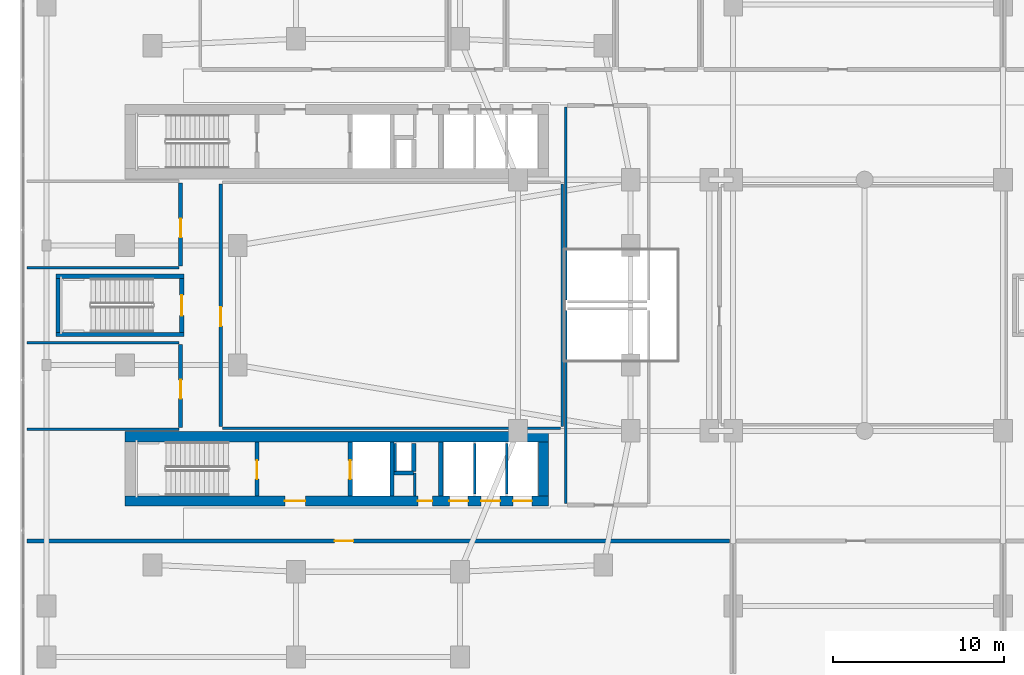
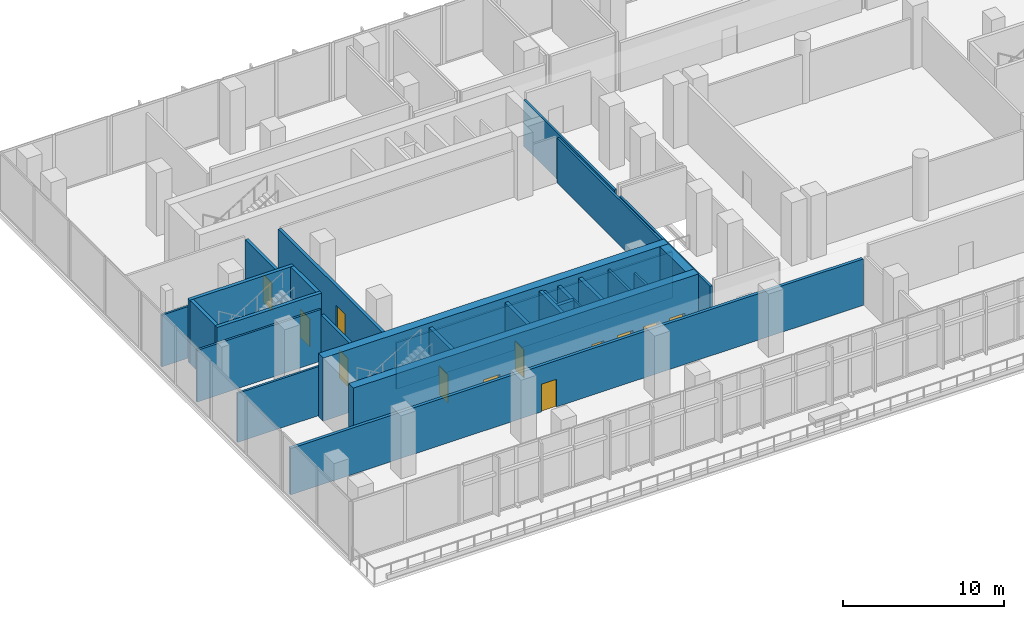
# One storey, part 11 of 30: 28 walls, 12 doors, 12 openings.
"""IFC4 building model written with IfcOpenShell, lengths in metres."""

from ifc_helpers import new_model, si_unit, derived_unit, direction, frame, frame_2d, origin, place, context, subcontext, project, spatial, rectangle, extrude, material, layer, layer_set, type_object, element, fill, save


model = new_model("IFC4")

# Units and contexts
model_context = context("Model", 3, precision=1e-05, world=origin(), true_north=direction((0.0, 1.0)))
body_context = subcontext(model_context, "Body", "Model", "MODEL_VIEW")
ifc_project = project(units=[si_unit("LENGTHUNIT", "METRE"), si_unit("AREAUNIT", "SQUARE_METRE"), si_unit("VOLUMEUNIT", "CUBIC_METRE"), si_unit("PLANEANGLEUNIT", "RADIAN"), si_unit("MASSUNIT", "GRAM", prefix="KILO"), derived_unit("THERMALTRANSMITTANCEUNIT", [(si_unit("POWERUNIT", "WATT"), 1), (si_unit("LENGTHUNIT", "METRE"), -2), (si_unit("THERMODYNAMICTEMPERATUREUNIT", "KELVIN"), -1)])], contexts=[model_context])

# Site, building, storey
site_placement = place(None, origin())
site = spatial("IfcSite", under=ifc_project, at=site_placement, CompositionType="ELEMENT")
building_placement = place(site_placement, origin())
building = spatial("IfcBuilding", under=site, at=building_placement, Name="Kivonza Crest Hotel", CompositionType="ELEMENT")
storey_placement = place(building_placement, frame((0.0, 0.0, 10.199951171875)))
storey = spatial("IfcBuildingStorey", under=building, at=storey_placement, Name="L02", CompositionType="ELEMENT", Elevation=10.199951171875)

# Wall, opening, door
ifc_material_1 = material(Name="Autoclaved aerated concrete blockwork", Category="masonry")
ifc_layer_1 = layer(ifc_material_1, 0.219970703125)
ifc_layer_set_1 = layer_set([ifc_layer_1], Name="Autoclaved aerated concrete blockwork")
wall_type_1 = type_object("IfcWallType", Name="WL-ACOU-220", PredefinedType="SOLIDWALL", material=ifc_layer_set_1)
wall_1_placement = place(storey_placement, frame((11.800048828125, 17.89990234375, 0.0), z_axis=(0.0, 0.0, 1.0), x_axis=(0.0, 1.0, 0.0)))
wall_1 = element("IfcWall", 1, at=wall_1_placement, inside=storey, type_object=wall_type_1, Name="L02 interior partition WA-L02-BALLRM-W", PredefinedType="SOLIDWALL", context=body_context, shape_type="SweptSolid", body=[
    extrude(rectangle(XDim=14.2001953125, YDim=0.219970703125, at=frame_2d((7.10009765625, 0.0))), origin(), (0.0, 0.0, 1.0), 3.525146484375),
])
opening_1_placement = place(wall_1_placement, frame((5.885009765625, 0.0, 0.0)))
opening_1 = element("IfcOpeningElement", 2, at=opening_1_placement, cuts=wall_1, Name="Opening DF-60M", PredefinedType="OPENING", context=body_context, shape_type="SweptSolid", body=[
    extrude(rectangle(XDim=1.10009765625, YDim=2.10009765625, at=frame_2d((0.550048828125, 1.050048828125))), frame((0.0, 0.1201171875, 0.0), z_axis=(0.0, -1.0, 0.0), x_axis=(1.0, 0.0, 0.0)), (0.0, 0.0, 1.0), 0.239990234375),
])
ifc_material_2 = material(Name="Hardwood timber oak", Category="wood")
door_type_1 = type_object("IfcDoorType", Name="DR-FD60-1100", OperationType="NOTDEFINED", PredefinedType="DOOR", material=ifc_material_2)
door_1_placement = place(opening_1_placement, frame((1.10009765625, 0.0, 0.0), z_axis=(0.0, 0.0, 1.0), x_axis=(-1.0, 0.0, 0.0)))
door_1 = element("IfcDoor", 3, at=door_1_placement, inside=storey, type_object=door_type_1, Name="L02 Grand Ballroom door", OperationType="SINGLE_SWING_LEFT", OverallHeight=2.10009765625, OverallWidth=1.10009765625, PredefinedType="DOOR", context=body_context, shape_type="SweptSolid", body=[
    extrude(rectangle(XDim=1.10009765625, YDim=2.10009765625, at=frame_2d((0.550048828125, 1.050048828125))), frame((0.0, 0.02490234375, 0.0), z_axis=(0.0, -1.0, 0.0), x_axis=(1.0, 0.0, 0.0)), (0.0, 0.0, 1.0), 0.050048828125),
])
fill(opening_1, door_1)

wall_2_placement = place(storey_placement, frame((0.449951171875, 11.199951171875, 0.0), z_axis=(0.0, 0.0, 1.0), x_axis=(1.0, 0.0, 0.0)))
wall_2 = element("IfcWall", 4, at=wall_2_placement, inside=storey, type_object=wall_type_1, Name="L02 interior partition WA-L02-BAL-FOY-N", PredefinedType="SOLIDWALL", context=body_context, shape_type="SweptSolid", body=[
    extrude(rectangle(XDim=41.150146484375, YDim=0.219970703125, at=frame_2d((20.5751953125, 0.0))), origin(), (0.0, 0.0, 1.0), 3.525146484375),
])
opening_2_placement = place(wall_2_placement, frame((18.012939453125, 0.0, 0.0)))
opening_2 = element("IfcOpeningElement", 5, at=opening_2_placement, cuts=wall_2, Name="Opening DF-60M", PredefinedType="OPENING", context=body_context, shape_type="SweptSolid", body=[
    extrude(rectangle(XDim=1.10009765625, YDim=2.10009765625, at=frame_2d((0.550048828125, 1.050048828125))), frame((0.0, 0.1201171875, 0.0), z_axis=(0.0, -1.0, 0.0), x_axis=(1.0, 0.0, 0.0)), (0.0, 0.0, 1.0), 0.239990234375),
])
door_2_placement = place(opening_2_placement, frame((1.10009765625, 0.0, 0.0), z_axis=(0.0, 0.0, 1.0), x_axis=(-1.0, 0.0, 0.0)))
door_2 = element("IfcDoor", 6, at=door_2_placement, inside=storey, type_object=door_type_1, Name="L02 Grand Ballroom Pre-Function Foyer door", OperationType="SINGLE_SWING_RIGHT", OverallHeight=2.10009765625, OverallWidth=1.10009765625, PredefinedType="DOOR", context=body_context, shape_type="SweptSolid", body=[
    extrude(rectangle(XDim=1.10009765625, YDim=2.10009765625, at=frame_2d((0.550048828125, 1.050048828125))), frame((0.0, 0.02490234375, 0.0), z_axis=(0.0, -1.0, 0.0), x_axis=(1.0, 0.0, 0.0)), (0.0, 0.0, 1.0), 0.050048828125),
])
fill(opening_2, door_2)

wall_3_placement = place(storey_placement, frame((9.449951171875, 17.85009765625, 0.0), z_axis=(0.0, 0.0, 1.0), x_axis=(0.0, 1.0, 0.0)))
wall_3 = element("IfcWall", 7, at=wall_3_placement, inside=storey, type_object=wall_type_1, Name="L02 interior partition WA-L02-W-GAL2S-E", PredefinedType="SOLIDWALL", context=body_context, shape_type="SweptSolid", body=[
    extrude(rectangle(XDim=4.849853515625, YDim=0.219970703125, at=frame_2d((2.4248046875, 0.0))), origin(), (0.0, 0.0, 1.0), 3.525146484375),
])
opening_3_placement = place(wall_3_placement, frame((1.677978515625, 0.0, 0.0)))
opening_3 = element("IfcOpeningElement", 8, at=opening_3_placement, cuts=wall_3, Name="Opening DF-60M", PredefinedType="OPENING", context=body_context, shape_type="SweptSolid", body=[
    extrude(rectangle(XDim=1.10009765625, YDim=2.10009765625, at=frame_2d((0.550048828125, 1.050048828125))), frame((0.0, 0.1201171875, 0.0), z_axis=(0.0, -1.0, 0.0), x_axis=(1.0, 0.0, 0.0)), (0.0, 0.0, 1.0), 0.239990234375),
])
door_3_placement = place(opening_3_placement, origin())
door_3 = element("IfcDoor", 9, at=door_3_placement, inside=storey, type_object=door_type_1, Name="L02 West Podium Bridal Salon door", OperationType="SINGLE_SWING_LEFT", OverallHeight=2.10009765625, OverallWidth=1.10009765625, PredefinedType="DOOR", context=body_context, shape_type="SweptSolid", body=[
    extrude(rectangle(XDim=1.10009765625, YDim=2.10009765625, at=frame_2d((0.550048828125, 1.050048828125))), frame((0.0, 0.02490234375, 0.0), z_axis=(0.0, -1.0, 0.0), x_axis=(1.0, 0.0, 0.0)), (0.0, 0.0, 1.0), 0.050048828125),
])
fill(opening_3, door_3)

wall_4_placement = place(storey_placement, frame((9.449951171875, 27.300048828125, 0.0), z_axis=(0.0, 0.0, 1.0), x_axis=(0.0, 1.0, 0.0)))
wall_4 = element("IfcWall", 10, at=wall_4_placement, inside=storey, type_object=wall_type_1, Name="L02 interior partition WA-L02-W-GAL2N-E", PredefinedType="SOLIDWALL", context=body_context, shape_type="SweptSolid", body=[
    extrude(rectangle(XDim=4.849853515625, YDim=0.219970703125, at=frame_2d((2.4248046875, 0.0))), origin(), (0.0, 0.0, 1.0), 3.525146484375),
])
opening_4_placement = place(wall_4_placement, frame((1.677978515625, 0.0, 0.0)))
opening_4 = element("IfcOpeningElement", 11, at=opening_4_placement, cuts=wall_4, Name="Opening DF-60M", PredefinedType="OPENING", context=body_context, shape_type="SweptSolid", body=[
    extrude(rectangle(XDim=1.10009765625, YDim=2.10009765625, at=frame_2d((0.550048828125, 1.050048828125))), frame((0.0, 0.1201171875, 0.0), z_axis=(0.0, -1.0, 0.0), x_axis=(1.0, 0.0, 0.0)), (0.0, 0.0, 1.0), 0.239990234375),
])
door_4_placement = place(opening_4_placement, origin())
door_4 = element("IfcDoor", 12, at=door_4_placement, inside=storey, type_object=door_type_1, Name="L02 West Podium Dressing Suite door", OperationType="SINGLE_SWING_RIGHT", OverallHeight=2.10009765625, OverallWidth=1.10009765625, PredefinedType="DOOR", context=body_context, shape_type="SweptSolid", body=[
    extrude(rectangle(XDim=1.10009765625, YDim=2.10009765625, at=frame_2d((0.550048828125, 1.050048828125))), frame((0.0, 0.02490234375, 0.0), z_axis=(0.0, -1.0, 0.0), x_axis=(1.0, 0.0, 0.0)), (0.0, 0.0, 1.0), 0.050048828125),
])
fill(opening_4, door_4)

# Wall, openings, doors
ifc_material_3 = material(Name="Concrete C60/75", Category="concrete")
ifc_layer_2 = layer(ifc_material_3, 0.60009765625)
ifc_layer_set_2 = layer_set([ifc_layer_2], Name="Concrete C60/75")
wall_type_2 = type_object("IfcWallType", Name="WL-CORE-600", PredefinedType="SHEAR", material=ifc_layer_set_2)
wall_5_placement = place(storey_placement, frame((6.199951171875, 13.5400390625, 0.0), z_axis=(0.0, 0.0, 1.0), x_axis=(1.0, 0.0, 0.0)))
wall_5 = element("IfcWall", 13, at=wall_5_placement, inside=storey, type_object=wall_type_2, Name="Core wall T1-S South L02", PredefinedType="SHEAR", context=body_context, shape_type="SweptSolid", body=[
    extrude(rectangle(XDim=24.800048828125, YDim=0.60009765625, at=frame_2d((12.39990234375, 0.0))), origin(), (0.0, 0.0, 1.0), 4.800048828125),
])
opening_5_placement = place(wall_5_placement, frame((9.35009765625, 0.0, 0.0)))
opening_5 = element("IfcOpeningElement", 14, at=opening_5_placement, cuts=wall_5, Name="Opening DF-60", PredefinedType="OPENING", context=body_context, shape_type="SweptSolid", body=[
    extrude(rectangle(XDim=1.199951171875, YDim=2.14990234375, at=frame_2d((0.60009765625, 1.074951171875))), frame((0.0, 0.31005859375, 0.0), z_axis=(0.0, -1.0, 0.0), x_axis=(1.0, 0.0, 0.0)), (0.0, 0.0, 1.0), 0.6201171875),
])
opening_6_placement = place(wall_5_placement, frame((17.139892578125, 0.0, 0.0)))
opening_6 = element("IfcOpeningElement", 15, at=opening_6_placement, cuts=wall_5, Name="Opening DF-60R", PredefinedType="OPENING", context=body_context, shape_type="SweptSolid", body=[
    extrude(rectangle(XDim=0.85009765625, YDim=2.10009765625, at=frame_2d((0.425048828125, 1.050048828125))), frame((0.0, 0.31005859375, 0.0), z_axis=(0.0, -1.0, 0.0), x_axis=(1.0, 0.0, 0.0)), (0.0, 0.0, 1.0), 0.6201171875),
])
opening_7_placement = place(wall_5_placement, frame((18.98291015625, 0.0, 0.0)))
opening_7 = element("IfcOpeningElement", 16, at=opening_7_placement, cuts=wall_5, Name="Opening LD-120", PredefinedType="OPENING", context=body_context, shape_type="SweptSolid", body=[
    extrude(rectangle(XDim=1.10009765625, YDim=2.14990234375, at=frame_2d((0.550048828125, 1.074951171875))), frame((0.0, 0.31005859375, 0.0), z_axis=(0.0, -1.0, 0.0), x_axis=(1.0, 0.0, 0.0)), (0.0, 0.0, 1.0), 0.6201171875),
])
opening_8_placement = place(wall_5_placement, frame((20.85009765625, 0.0, 0.0)))
opening_8 = element("IfcOpeningElement", 17, at=opening_8_placement, cuts=wall_5, Name="Opening LD-120", PredefinedType="OPENING", context=body_context, shape_type="SweptSolid", body=[
    extrude(rectangle(XDim=1.10009765625, YDim=2.14990234375, at=frame_2d((0.550048828125, 1.074951171875))), frame((0.0, 0.31005859375, 0.0), z_axis=(0.0, -1.0, 0.0), x_axis=(1.0, 0.0, 0.0)), (0.0, 0.0, 1.0), 0.6201171875),
])
opening_9_placement = place(wall_5_placement, frame((22.716064453125, 0.0, 0.0)))
opening_9 = element("IfcOpeningElement", 18, at=opening_9_placement, cuts=wall_5, Name="Opening LD-120", PredefinedType="OPENING", context=body_context, shape_type="SweptSolid", body=[
    extrude(rectangle(XDim=1.10009765625, YDim=2.14990234375, at=frame_2d((0.550048828125, 1.074951171875))), frame((0.0, 0.31005859375, 0.0), z_axis=(0.0, -1.0, 0.0), x_axis=(1.0, 0.0, 0.0)), (0.0, 0.0, 1.0), 0.6201171875),
])
door_type_2 = type_object("IfcDoorType", Name="DR-FD60-1200", OperationType="NOTDEFINED", PredefinedType="DOOR", material=ifc_material_2)
door_5_placement = place(opening_5_placement, frame((1.199951171875, 0.0, 0.0), z_axis=(0.0, 0.0, 1.0), x_axis=(-1.0, 0.0, 0.0)))
door_5 = element("IfcDoor", 19, at=door_5_placement, inside=storey, type_object=door_type_2, Name="L02 T1-S firefighting lobby fire door", OperationType="SINGLE_SWING_LEFT", OverallHeight=2.14990234375, OverallWidth=1.199951171875, PredefinedType="DOOR", context=body_context, shape_type="SweptSolid", body=[
    extrude(rectangle(XDim=1.199951171875, YDim=2.14990234375, at=frame_2d((0.60009765625, 1.074951171875))), frame((0.0, 0.02490234375, 0.0), z_axis=(0.0, -1.0, 0.0), x_axis=(1.0, 0.0, 0.0)), (0.0, 0.0, 1.0), 0.050048828125),
])
fill(opening_5, door_5)
door_type_3 = type_object("IfcDoorType", Name="DR-FD60-850", OperationType="NOTDEFINED", PredefinedType="DOOR", material=ifc_material_2)
door_6_placement = place(opening_6_placement, frame((0.85009765625, 0.0, 0.0), z_axis=(0.0, 0.0, 1.0), x_axis=(-1.0, 0.0, 0.0)))
door_6 = element("IfcDoor", 20, at=door_6_placement, inside=storey, type_object=door_type_3, Name="L02 T1-S core room door", OperationType="SINGLE_SWING_RIGHT", OverallHeight=2.10009765625, OverallWidth=0.85009765625, PredefinedType="DOOR", context=body_context, shape_type="SweptSolid", body=[
    extrude(rectangle(XDim=0.85009765625, YDim=2.10009765625, at=frame_2d((0.425048828125, 1.050048828125))), frame((0.0, 0.02490234375, 0.0), z_axis=(0.0, -1.0, 0.0), x_axis=(1.0, 0.0, 0.0)), (0.0, 0.0, 1.0), 0.050048828125),
])
fill(opening_6, door_6)
ifc_material_4 = material(Name="Stainless steel", Category="steel")
door_type_4 = type_object("IfcDoorType", Name="DR-LD120-1100", OperationType="NOTDEFINED", PredefinedType="DOOR", material=ifc_material_4)
door_7_placement = place(opening_7_placement, frame((1.10009765625, 0.0, 0.0), z_axis=(0.0, 0.0, 1.0), x_axis=(-1.0, 0.0, 0.0)))
door_7 = element("IfcDoor", 21, at=door_7_placement, inside=storey, type_object=door_type_4, Name="L02 PL-T1-H1 passenger lift sliding landing door", OperationType="DOUBLE_DOOR_SLIDING", OverallHeight=2.14990234375, OverallWidth=1.10009765625, PredefinedType="DOOR", context=body_context, shape_type="SweptSolid", body=[
    extrude(rectangle(XDim=1.10009765625, YDim=2.14990234375, at=frame_2d((0.550048828125, 1.074951171875))), frame((0.0, 0.02490234375, 0.0), z_axis=(0.0, -1.0, 0.0), x_axis=(1.0, 0.0, 0.0)), (0.0, 0.0, 1.0), 0.050048828125),
])
fill(opening_7, door_7)
door_8_placement = place(opening_8_placement, frame((1.10009765625, 0.0, 0.0), z_axis=(0.0, 0.0, 1.0), x_axis=(-1.0, 0.0, 0.0)))
door_8 = element("IfcDoor", 22, at=door_8_placement, inside=storey, type_object=door_type_4, Name="L02 PL-T1-H2 passenger lift sliding landing door", OperationType="DOUBLE_DOOR_SLIDING", OverallHeight=2.14990234375, OverallWidth=1.10009765625, PredefinedType="DOOR", context=body_context, shape_type="SweptSolid", body=[
    extrude(rectangle(XDim=1.10009765625, YDim=2.14990234375, at=frame_2d((0.550048828125, 1.074951171875))), frame((0.0, 0.02490234375, 0.0), z_axis=(0.0, -1.0, 0.0), x_axis=(1.0, 0.0, 0.0)), (0.0, 0.0, 1.0), 0.050048828125),
])
fill(opening_8, door_8)
door_9_placement = place(opening_9_placement, frame((1.10009765625, 0.0, 0.0), z_axis=(0.0, 0.0, 1.0), x_axis=(-1.0, 0.0, 0.0)))
door_9 = element("IfcDoor", 23, at=door_9_placement, inside=storey, type_object=door_type_4, Name="L02 PL-T1-H3 passenger lift sliding landing door", OperationType="DOUBLE_DOOR_SLIDING", OverallHeight=2.14990234375, OverallWidth=1.10009765625, PredefinedType="DOOR", context=body_context, shape_type="SweptSolid", body=[
    extrude(rectangle(XDim=1.10009765625, YDim=2.14990234375, at=frame_2d((0.550048828125, 1.074951171875))), frame((0.0, 0.02490234375, 0.0), z_axis=(0.0, -1.0, 0.0), x_axis=(1.0, 0.0, 0.0)), (0.0, 0.0, 1.0), 0.050048828125),
])
fill(opening_9, door_9)

# Walls
wall_6_placement = place(storey_placement, frame((6.199951171875, 17.300048828125, 0.0), z_axis=(0.0, 0.0, 1.0), x_axis=(1.0, 0.0, 0.0)))
element("IfcWall", 24, at=wall_6_placement, inside=storey, type_object=wall_type_2, Name="Core wall T1-S North L02", PredefinedType="SHEAR", context=body_context, shape_type="SweptSolid", body=[
    extrude(rectangle(XDim=24.800048828125, YDim=0.60009765625, at=frame_2d((12.39990234375, 0.0))), origin(), (0.0, 0.0, 1.0), 4.800048828125),
])
wall_7_placement = place(storey_placement, frame((30.699951171875, 13.840087890625, 0.0), z_axis=(0.0, 0.0, 1.0), x_axis=(0.0, 1.0, 0.0)))
element("IfcWall", 25, at=wall_7_placement, inside=storey, type_object=wall_type_2, Name="Core wall T1-S East L02", PredefinedType="SHEAR", context=body_context, shape_type="SweptSolid", body=[
    extrude(rectangle(XDim=3.159912109375, YDim=0.60009765625, at=frame_2d((1.580078125, 0.0))), origin(), (0.0, 0.0, 1.0), 4.800048828125),
])
ifc_material_5 = material(Name="Concrete blockwork fire-compartment wall", Category="masonry")
ifc_layer_3 = layer(ifc_material_5, 0.25)
ifc_layer_set_3 = layer_set([ifc_layer_3], Name="Concrete blockwork fire-compartment wall")
wall_type_3 = type_object("IfcWallType", Name="WL-FIRE-250", PredefinedType="SOLIDWALL", material=ifc_layer_set_3)
wall_8_placement = place(storey_placement, frame((23.10009765625, 15.280029296875, 0.0), z_axis=(0.0, 0.0, 1.0), x_axis=(0.0, 1.0, 0.0)))
element("IfcWall", 26, at=wall_8_placement, inside=storey, type_object=wall_type_3, Name="L02 interior partition WA-L02-T1-S-MEPR-E", PredefinedType="SOLIDWALL", context=body_context, shape_type="SweptSolid", body=[
    extrude(rectangle(XDim=1.619873046875, YDim=0.25, at=frame_2d((0.81005859375, 0.0))), origin(), (0.0, 0.0, 1.0), 4.449951171875),
])
wall_9_placement = place(storey_placement, frame((21.949951171875, 15.179931640625, 0.0), z_axis=(0.0, 0.0, 1.0), x_axis=(1.0, 0.0, 0.0)))
element("IfcWall", 27, at=wall_9_placement, inside=storey, type_object=wall_type_3, Name="L02 interior partition WA-L02-T1-S-MEPR-H", PredefinedType="SOLIDWALL", context=body_context, shape_type="SweptSolid", body=[
    extrude(rectangle(XDim=1.150146484375, YDim=0.25, at=frame_2d((0.5751953125, 0.0))), origin(), (0.0, 0.0, 1.0), 4.449951171875),
])
ifc_material_6 = material(Name="Metal-stud gypsum board partition", Category="gypsum")
ifc_layer_4 = layer(ifc_material_6, 0.125)
ifc_layer_set_4 = layer_set([ifc_layer_4], Name="Metal-stud gypsum board partition")
wall_type_4 = type_object("IfcWallType", Name="WL-PART-125", PredefinedType="PARTITIONING", material=ifc_layer_set_4)
wall_10_placement = place(storey_placement, frame((23.159912109375, 13.840087890625, 0.0), z_axis=(0.0, 0.0, 1.0), x_axis=(0.0, 1.0, 0.0)))
element("IfcWall", 28, at=wall_10_placement, inside=storey, type_object=wall_type_4, Name="L02 interior partition WP-L02-T1-S-SV1V", PredefinedType="PARTITIONING", context=body_context, shape_type="SweptSolid", body=[
    extrude(rectangle(XDim=1.33984375, YDim=0.125, at=frame_2d((0.669921875, 0.0))), origin(), (0.0, 0.0, 1.0), 4.449951171875),
])
ifc_material_7 = material(Name="Twin-stud acoustic gypsum board partition", Category="gypsum")
ifc_layer_5 = layer(ifc_material_7, 0.14990234375)
ifc_layer_set_5 = layer_set([ifc_layer_5], Name="Twin-stud acoustic gypsum board partition")
wall_type_5 = type_object("IfcWallType", Name="WL-PART-150", PredefinedType="PARTITIONING", material=ifc_layer_set_5)
wall_11_placement = place(storey_placement, frame((22.030029296875, 15.280029296875, 0.0), z_axis=(0.0, 0.0, 1.0), x_axis=(0.0, 1.0, 0.0)))
element("IfcWall", 29, at=wall_11_placement, inside=storey, type_object=wall_type_5, Name="L02 interior partition WA-L02-T1-S-MEPR-W", PredefinedType="PARTITIONING", context=body_context, shape_type="SweptSolid", body=[
    extrude(rectangle(XDim=1.619873046875, YDim=0.14990234375, at=frame_2d((0.81005859375, 0.0))), origin(), (0.0, 0.0, 1.0), 4.449951171875),
])
wall_12_placement = place(storey_placement, frame((26.6669921875, 13.93994140625, 0.0), z_axis=(0.0, 0.0, 1.0), x_axis=(0.0, 1.0, 0.0)))
element("IfcWall", 30, at=wall_12_placement, inside=storey, type_object=wall_type_5, Name="L02 interior partition WP-L02-T1-S-BSH-1", PredefinedType="PARTITIONING", context=body_context, shape_type="SweptSolid", body=[
    extrude(rectangle(XDim=2.9599609375, YDim=0.14990234375, at=frame_2d((1.47998046875, 0.0))), origin(), (0.0, 0.0, 1.0), 4.449951171875),
])
wall_13_placement = place(storey_placement, frame((28.532958984375, 13.93994140625, 0.0), z_axis=(0.0, 0.0, 1.0), x_axis=(0.0, 1.0, 0.0)))
element("IfcWall", 31, at=wall_13_placement, inside=storey, type_object=wall_type_5, Name="L02 interior partition WP-L02-T1-S-BSH-2", PredefinedType="PARTITIONING", context=body_context, shape_type="SweptSolid", body=[
    extrude(rectangle(XDim=2.9599609375, YDim=0.14990234375, at=frame_2d((1.47998046875, 0.0))), origin(), (0.0, 0.0, 1.0), 3.525146484375),
])
wall_14_placement = place(storey_placement, frame((31.800048828125, 17.89990234375, 0.0), z_axis=(0.0, 0.0, 1.0), x_axis=(0.0, 1.0, 0.0)))
element("IfcWall", 32, at=wall_14_placement, inside=storey, type_object=wall_type_5, Name="L02 interior partition WP-L02-BALLRM-BE", PredefinedType="PARTITIONING", context=body_context, shape_type="SweptSolid", body=[
    extrude(rectangle(XDim=14.2001953125, YDim=0.14990234375, at=frame_2d((7.10009765625, 0.0))), origin(), (0.0, 0.0, 1.0), 3.425048828125),
])
wall_15_placement = place(storey_placement, frame((11.89990234375, 17.800048828125, 0.0), z_axis=(0.0, 0.0, 1.0), x_axis=(1.0, 0.0, 0.0)))
element("IfcWall", 33, at=wall_15_placement, inside=storey, type_object=wall_type_5, Name="L02 interior partition WP-L02-BALLRM-BS", PredefinedType="PARTITIONING", context=body_context, shape_type="SweptSolid", body=[
    extrude(rectangle(XDim=19.800048828125, YDim=0.14990234375, at=frame_2d((9.89990234375, 0.0))), origin(), (0.0, 0.0, 1.0), 3.525146484375),
])
wall_16_placement = place(storey_placement, frame((0.449951171875, 17.75, 0.0), z_axis=(0.0, 0.0, 1.0), x_axis=(1.0, 0.0, 0.0)))
element("IfcWall", 34, at=wall_16_placement, inside=storey, type_object=wall_type_5, Name="L02 interior partition WP-L02-W-GAL2S-BS", PredefinedType="PARTITIONING", context=body_context, shape_type="SweptSolid", body=[
    extrude(rectangle(XDim=8.900146484375, YDim=0.14990234375, at=frame_2d((4.4501953125, 0.0))), origin(), (0.0, 0.0, 1.0), 3.72509765625),
])
for number, where, z_axis, x_axis, name in (
    (35, (0.449951171875, 22.800048828125, 0.0), (0.0, 0.0, 1.0), (1.0, 0.0, 0.0), "L02 interior partition WP-L02-W-GAL2S-BN"),
    (36, (0.449951171875, 27.199951171875, 0.0), (0.0, 0.0, 1.0), (1.0, 0.0, 0.0), "L02 interior partition WP-L02-W-GAL2N-BS"),
):
    element("IfcWall", number, at=place(storey_placement, frame(where, z_axis=z_axis, x_axis=x_axis)), inside=storey, type_object=wall_type_5, Name=name, PredefinedType="PARTITIONING", context=body_context, shape_type="SweptSolid", body=[
        extrude(rectangle(XDim=8.900146484375, YDim=0.14990234375, at=frame_2d((4.4501953125, 0.0))), origin(), (0.0, 0.0, 1.0), 3.925048828125),
    ])
wall_17_placement = place(storey_placement, frame((32.0, 13.39990234375, 0.0), z_axis=(0.0, 0.0, 1.0), x_axis=(0.0, 1.0, 0.0)))
element("IfcWall", 37, at=wall_17_placement, inside=storey, type_object=wall_type_5, Name="L02 interior partition WP-L02-BAL-GRN1-BW", PredefinedType="PARTITIONING", context=body_context, shape_type="SweptSolid", body=[
    extrude(rectangle(XDim=11.300048828125, YDim=0.14990234375, at=frame_2d((5.64990234375, 0.0))), origin(), (0.0, 0.0, 1.0), 3.425048828125),
])
wall_18_placement = place(storey_placement, frame((32.0, 25.300048828125, 0.0), z_axis=(0.0, 0.0, 1.0), x_axis=(0.0, 1.0, 0.0)))
element("IfcWall", 38, at=wall_18_placement, inside=storey, type_object=wall_type_5, Name="L02 interior partition WP-L02-BAL-GRN2-BW", PredefinedType="PARTITIONING", context=body_context, shape_type="SweptSolid", body=[
    extrude(rectangle(XDim=11.300048828125, YDim=0.14990234375, at=frame_2d((5.64990234375, 0.0))), origin(), (0.0, 0.0, 1.0), 3.525146484375),
])

# Wall, opening, door
ifc_material_8 = material(Name="Concrete C50/60", Category="concrete")
ifc_layer_6 = layer(ifc_material_8, 0.25)
ifc_layer_set_6 = layer_set([ifc_layer_6], Name="Concrete C50/60")
wall_type_6 = type_object("IfcWallType", Name="WL-SHAFT-250", PredefinedType="STANDARD", material=ifc_layer_set_6)
wall_19_placement = place(storey_placement, frame((13.925048828125, 13.840087890625, 0.0), z_axis=(0.0, 0.0, 1.0), x_axis=(0.0, 1.0, 0.0)))
wall_19 = element("IfcWall", 39, at=wall_19_placement, inside=storey, type_object=wall_type_6, Name="Core shaft wall T1-S STAIR L02", PredefinedType="STANDARD", context=body_context, shape_type="SweptSolid", body=[
    extrude(rectangle(XDim=3.159912109375, YDim=0.25, at=frame_2d((1.580078125, 0.0))), origin(), (0.0, 0.0, 1.0), 4.449951171875),
])
opening_10_placement = place(wall_19_placement, frame((0.97998046875, 0.0, 0.0)))
opening_10 = element("IfcOpeningElement", 40, at=opening_10_placement, cuts=wall_19, Name="Opening DF-120", PredefinedType="OPENING", context=body_context, shape_type="SweptSolid", body=[
    extrude(rectangle(XDim=1.10009765625, YDim=2.14990234375, at=frame_2d((0.550048828125, 1.074951171875))), frame((0.0, 0.135009765625, 0.0), z_axis=(0.0, -1.0, 0.0), x_axis=(1.0, 0.0, 0.0)), (0.0, 0.0, 1.0), 0.27001953125),
])
ifc_material_9 = material(Name="Galvanised steel", Category="steel")
door_type_5 = type_object("IfcDoorType", Name="DR-FD120-1100", OperationType="NOTDEFINED", PredefinedType="DOOR", material=ifc_material_9)
door_10_placement = place(opening_10_placement, frame((1.10009765625, 0.0, 0.0), z_axis=(0.0, 0.0, 1.0), x_axis=(-1.0, 0.0, 0.0)))
door_10 = element("IfcDoor", 41, at=door_10_placement, inside=storey, type_object=door_type_5, Name="L02 T1-S stair fire door", OperationType="SINGLE_SWING_RIGHT", OverallHeight=2.14990234375, OverallWidth=1.10009765625, PredefinedType="DOOR", context=body_context, shape_type="SweptSolid", body=[
    extrude(rectangle(XDim=1.10009765625, YDim=2.14990234375, at=frame_2d((0.550048828125, 1.074951171875))), frame((0.0, 0.02490234375, 0.0), z_axis=(0.0, -1.0, 0.0), x_axis=(1.0, 0.0, 0.0)), (0.0, 0.0, 1.0), 0.050048828125),
])
fill(opening_10, door_10)

wall_20_placement = place(storey_placement, frame((19.375, 13.840087890625, 0.0), z_axis=(0.0, 0.0, 1.0), x_axis=(0.0, 1.0, 0.0)))
wall_20 = element("IfcWall", 42, at=wall_20_placement, inside=storey, type_object=wall_type_6, Name="Core shaft wall T1-S FFL-W L02", PredefinedType="STANDARD", context=body_context, shape_type="SweptSolid", body=[
    extrude(rectangle(XDim=3.159912109375, YDim=0.25, at=frame_2d((1.580078125, 0.0))), origin(), (0.0, 0.0, 1.0), 4.449951171875),
])
opening_11_placement = place(wall_20_placement, frame((0.97998046875, 0.0, 0.0)))
opening_11 = element("IfcOpeningElement", 43, at=opening_11_placement, cuts=wall_20, Name="Opening LD-120", PredefinedType="OPENING", context=body_context, shape_type="SweptSolid", body=[
    extrude(rectangle(XDim=1.10009765625, YDim=2.14990234375, at=frame_2d((0.550048828125, 1.074951171875))), frame((0.0, 0.135009765625, 0.0), z_axis=(0.0, -1.0, 0.0), x_axis=(1.0, 0.0, 0.0)), (0.0, 0.0, 1.0), 0.27001953125),
])
door_11_placement = place(opening_11_placement, origin())
door_11 = element("IfcDoor", 44, at=door_11_placement, inside=storey, type_object=door_type_4, Name="L02 FFL-T1-S firefighting lift sliding landing door", OperationType="DOUBLE_DOOR_SLIDING", OverallHeight=2.14990234375, OverallWidth=1.10009765625, PredefinedType="DOOR", context=body_context, shape_type="SweptSolid", body=[
    extrude(rectangle(XDim=1.10009765625, YDim=2.14990234375, at=frame_2d((0.550048828125, 1.074951171875))), frame((0.0, 0.02490234375, 0.0), z_axis=(0.0, -1.0, 0.0), x_axis=(1.0, 0.0, 0.0)), (0.0, 0.0, 1.0), 0.050048828125),
])
fill(opening_11, door_11)

# Walls
for number, where, z_axis, x_axis, name in (
    (45, (21.824951171875, 13.840087890625, 0.0), (0.0, 0.0, 1.0), (0.0, 1.0, 0.0), "Core shaft wall T1-S FFL-E L02"),
    (46, (24.675048828125, 13.840087890625, 0.0), (0.0, 0.0, 1.0), (0.0, 1.0, 0.0), "Core shaft wall T1-S BANK-W L02"),
):
    element("IfcWall", number, at=place(storey_placement, frame(where, z_axis=z_axis, x_axis=x_axis)), inside=storey, type_object=wall_type_6, Name=name, PredefinedType="STANDARD", context=body_context, shape_type="SweptSolid", body=[
        extrude(rectangle(XDim=3.159912109375, YDim=0.25, at=frame_2d((1.580078125, 0.0))), origin(), (0.0, 0.0, 1.0), 4.449951171875),
    ])
for number, where, z_axis, x_axis, name in (
    (47, (2.14990234375, 23.294921875, 0.0), (0.0, 0.0, 1.0), (1.0, 0.0, 0.0), "Podium stair enclosure wall ST-POD-W S L02"),
    (48, (2.14990234375, 26.705078125, 0.0), (0.0, 0.0, 1.0), (1.0, 0.0, 0.0), "Podium stair enclosure wall ST-POD-W N L02"),
):
    element("IfcWall", number, at=place(storey_placement, frame(where, z_axis=z_axis, x_axis=x_axis)), inside=storey, type_object=wall_type_6, Name=name, PredefinedType="STANDARD", context=body_context, shape_type="SweptSolid", body=[
        extrude(rectangle(XDim=7.5, YDim=0.25, at=frame_2d((3.75, 0.0))), origin(), (0.0, 0.0, 1.0), 4.800048828125),
    ])
wall_21_placement = place(storey_placement, frame((2.27490234375, 23.419921875, 0.0), z_axis=(0.0, 0.0, 1.0), x_axis=(0.0, 1.0, 0.0)))
element("IfcWall", 49, at=wall_21_placement, inside=storey, type_object=wall_type_6, Name="Podium stair enclosure wall ST-POD-W W L02", PredefinedType="STANDARD", context=body_context, shape_type="SweptSolid", body=[
    extrude(rectangle(XDim=3.16015625, YDim=0.25, at=frame_2d((1.580078125, 0.0))), origin(), (0.0, 0.0, 1.0), 4.800048828125),
])

# Wall, opening, door
wall_22_placement = place(storey_placement, frame((9.52490234375, 23.419921875, 0.0), z_axis=(0.0, 0.0, 1.0), x_axis=(0.0, 1.0, 0.0)))
wall_22 = element("IfcWall", 50, at=wall_22_placement, inside=storey, type_object=wall_type_6, Name="Podium stair enclosure wall ST-POD-W E L02", PredefinedType="STANDARD", context=body_context, shape_type="SweptSolid", body=[
    extrude(rectangle(XDim=3.16015625, YDim=0.25, at=frame_2d((1.580078125, 0.0))), origin(), (0.0, 0.0, 1.0), 4.800048828125),
])
opening_12_placement = place(wall_22_placement, frame((0.97998046875, 0.0, 0.0)))
opening_12 = element("IfcOpeningElement", 51, at=opening_12_placement, cuts=wall_22, Name="Opening DF-120W", PredefinedType="OPENING", context=body_context, shape_type="SweptSolid", body=[
    extrude(rectangle(XDim=1.199951171875, YDim=2.14990234375, at=frame_2d((0.60009765625, 1.074951171875))), frame((0.0, 0.135009765625, 0.0), z_axis=(0.0, -1.0, 0.0), x_axis=(1.0, 0.0, 0.0)), (0.0, 0.0, 1.0), 0.27001953125),
])
door_type_6 = type_object("IfcDoorType", Name="DR-FD120-1200", OperationType="NOTDEFINED", PredefinedType="DOOR", material=ifc_material_9)
door_12_placement = place(opening_12_placement, frame((1.199951171875, 0.0, 0.0), z_axis=(0.0, 0.0, 1.0), x_axis=(-1.0, 0.0, 0.0)))
door_12 = element("IfcDoor", 52, at=door_12_placement, inside=storey, type_object=door_type_6, Name="L02 ST-POD-W podium stair fire door", OperationType="SINGLE_SWING_LEFT", OverallHeight=2.14990234375, OverallWidth=1.199951171875, PredefinedType="DOOR", context=body_context, shape_type="SweptSolid", body=[
    extrude(rectangle(XDim=1.199951171875, YDim=2.14990234375, at=frame_2d((0.60009765625, 1.074951171875))), frame((0.0, 0.02490234375, 0.0), z_axis=(0.0, -1.0, 0.0), x_axis=(1.0, 0.0, 0.0)), (0.0, 0.0, 1.0), 0.050048828125),
])
fill(opening_12, door_12)

save(model, "model.ifc")
